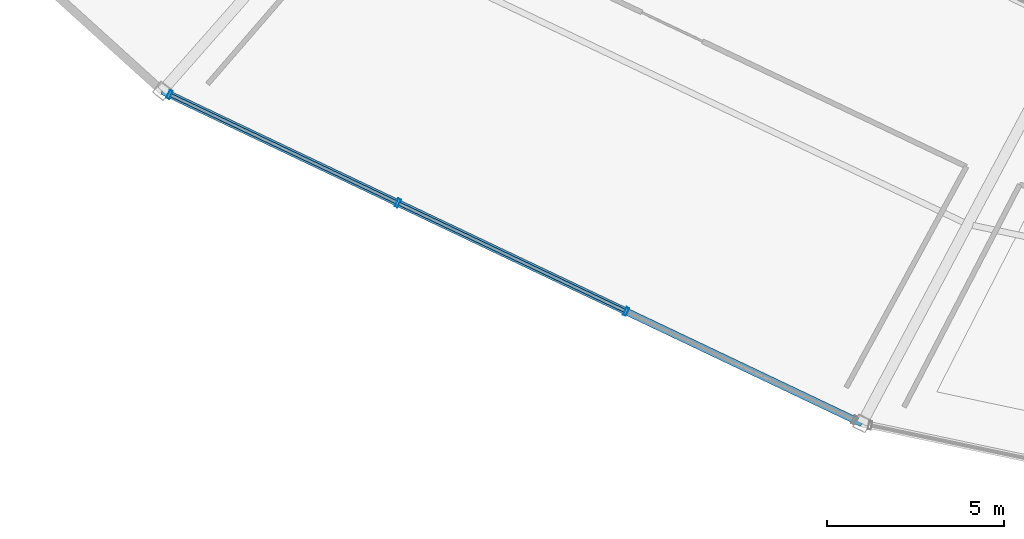
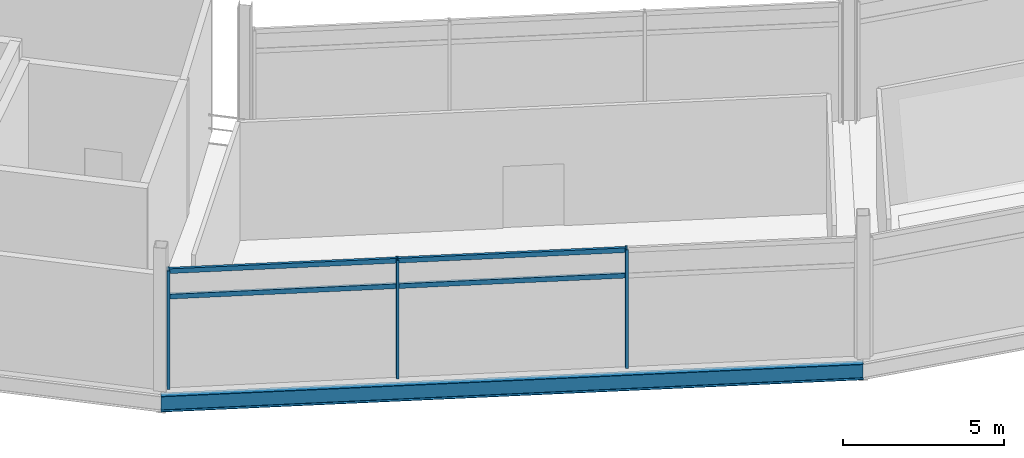
# One storey, part 14 of 86: 7 members, 1 beam, 1 element without a shape of its own.
"""IFC4 building model written with IfcOpenShell, lengths in metres."""

from ifc_helpers import new_model, si_unit, direction, frame, origin, origin_2d, place, context, subcontext, project, spatial, hollow_rectangle, i_section, extrude, material, layer, layer_set, material_profile, profile_set, type_object, element, aggregate, save


model = new_model("IFC4")

# Units and contexts
model_context = context("Model", 3, precision=1e-05, world=origin(), true_north=direction((0.0, 1.0)))
body_context = subcontext(model_context, "Body", "Model", "MODEL_VIEW")
ifc_project = project(units=[si_unit("LENGTHUNIT", "METRE"), si_unit("AREAUNIT", "SQUARE_METRE"), si_unit("VOLUMEUNIT", "CUBIC_METRE"), si_unit("PLANEANGLEUNIT", "RADIAN"), si_unit("MASSUNIT", "GRAM", prefix="KILO")], contexts=[model_context])

# Site, building, storey
site_placement = place(None, origin())
site = spatial("IfcSite", under=ifc_project, at=site_placement, CompositionType="ELEMENT")
building_placement = place(site_placement, origin())
building = spatial("IfcBuilding", under=site, at=building_placement, Name="Kazemori Nagisa Stadium", CompositionType="ELEMENT")
storey_placement = place(building_placement, frame((0.0, 0.0, 31.280029296875)))
storey = spatial("IfcBuildingStorey", under=building, at=storey_placement, Name="L06", CompositionType="ELEMENT", Elevation=31.280029296875)

# Beam
ifc_material_1 = material(Name="Steel SN490B", Category="steel")
ifc_material_profile_1 = material_profile(ifc_material_1, i_section(OverallWidth=0.199951171875, OverallDepth=0.60009765625, WebThickness=0.010986328125, FlangeThickness=0.01708984375, FilletRadius=0.012939453125, at=origin_2d()), Name="H-600x200x11x17")
ifc_profile_set_1 = profile_set([ifc_material_profile_1], Name="Steel SN490B")
beam_type = type_object("IfcBeamType", Name="Beam_BS-H600", PredefinedType="SPANDREL", material=ifc_profile_set_1)
beam_placement = place(storey_placement, frame((60.402099609375, 30.94091796875, -0.56005859375), z_axis=(0.903215644095, -0.429187022475, 0.0), x_axis=(0.429187022475, 0.903215644095, 0.0)))
element("IfcBeam", 1, at=beam_placement, inside=storey, type_object=beam_type, Name="Ring girder BS-H600 L06 R3-19", PredefinedType="SPANDREL", context=body_context, shape_type="SweptSolid", body=[
    extrude(i_section(OverallWidth=0.199951171875, OverallDepth=0.60009765625, WebThickness=0.010986328125, FlangeThickness=0.01708984375, FilletRadius=0.012939453125, at=origin_2d()), origin(), (0.0, 0.0, 1.0), 21.9140625),
])

# Curtain wall, members
ifc_material_2 = material(Name="Anodised aluminium 6063-T5", Category="aluminium")
ifc_layer = layer(ifc_material_2, 0.239990234375, Name="Anodised aluminium 6063-T5", Category="aluminium")
ifc_layer_set = layer_set([ifc_layer], Name="Anodised aluminium 6063-T5")
curtain_wall_type = type_object("IfcCurtainWallType", Name="CW_L06R3_108", PredefinedType="USERDEFINED", material=ifc_layer_set)
curtain_wall_placement = place(storey_placement, origin())
curtain_wall = element("IfcCurtainWall", 2, at=curtain_wall_placement, inside=storey, type_object=curtain_wall_type, Name="Unitised curtain wall CW-L06R3-108 L06", ObjectType="UNITISED CURTAIN WALL", PredefinedType="USERDEFINED")
ifc_material_3 = material(Name="Aluminium 6063-T5 anodised", Category="aluminium")
ifc_material_profile_2 = material_profile(ifc_material_3, hollow_rectangle(XDim=0.090087890625, YDim=0.239990234375, WallThickness=0.0048828125, at=origin_2d()), Name="ALU-MULL-90x240x5")
ifc_profile_set_2 = profile_set([ifc_material_profile_2], Name="Aluminium 6063-T5 anodised")
member_type_1 = type_object("IfcMemberType", Name="Mullion_M03", PredefinedType="MULLION", material=ifc_profile_set_2)
member_1_placement = place(storey_placement, frame((60.6142578125, 30.840087890625, 0.0), z_axis=(0.0, 0.0, 1.0), x_axis=(0.903215892654, -0.429186499388, 0.0)))
member_1 = element("IfcMember", 3, at=member_1_placement, type_object=member_type_1, Name="Curtain wall mullion CW-L06R3-108-M1", PredefinedType="MULLION", context=body_context, shape_type="SweptSolid", body=[
    extrude(hollow_rectangle(XDim=0.090087890625, YDim=0.239990234375, WallThickness=0.0048828125, at=origin_2d()), origin(), (0.0, 0.0, 1.0), 4.510009765625),
])
member_2_placement = place(storey_placement, frame((67.070556640625, 27.772216796875, 0.0), z_axis=(0.0, 0.0, 1.0), x_axis=(0.903215892654, -0.429186499388, 0.0)))
member_2 = element("IfcMember", 4, at=member_2_placement, type_object=member_type_1, Name="Curtain wall mullion CW-L06R3-108-M2", PredefinedType="MULLION", context=body_context, shape_type="SweptSolid", body=[
    extrude(hollow_rectangle(XDim=0.090087890625, YDim=0.239990234375, WallThickness=0.0048828125, at=origin_2d()), origin(), (0.0, 0.0, 1.0), 4.510009765625),
])
member_3_placement = place(storey_placement, frame((73.52685546875, 24.704345703125, 0.0), z_axis=(0.0, 0.0, 1.0), x_axis=(0.903215892654, -0.429186499388, 0.0)))
member_3 = element("IfcMember", 5, at=member_3_placement, type_object=member_type_1, Name="Curtain wall mullion CW-L06R3-108-M3", PredefinedType="MULLION", context=body_context, shape_type="SweptSolid", body=[
    extrude(hollow_rectangle(XDim=0.090087890625, YDim=0.239990234375, WallThickness=0.0048828125, at=origin_2d()), origin(), (0.0, 0.0, 1.0), 4.510009765625),
])
ifc_material_profile_3 = material_profile(ifc_material_3, hollow_rectangle(XDim=0.090087890625, YDim=0.179931640625, WallThickness=0.0048828125, at=origin_2d()), Name="ALU-TRAN-90x180x5")
ifc_profile_set_3 = profile_set([ifc_material_profile_3], Name="Aluminium 6063-T5 anodised")
member_type_2 = type_object("IfcMemberType", Name="Transom_T03", PredefinedType="USERDEFINED", material=ifc_profile_set_3)
member_4_placement = place(storey_placement, frame((60.63232421875, 30.83154296875, 3.47265625), z_axis=(0.903225250156, -0.429166806126, 0.0), x_axis=(0.429166806126, 0.903225250156, 0.0)))
member_4 = element("IfcMember", 6, at=member_4_placement, type_object=member_type_2, Name="Curtain wall transom CW-L06R3-108-T1-mid", ObjectType="TRANSOM", PredefinedType="USERDEFINED", context=body_context, shape_type="SweptSolid", body=[
    extrude(hollow_rectangle(XDim=0.090087890625, YDim=0.179931640625, WallThickness=0.0048828125, at=origin_2d()), origin(), (0.0, 0.0, 1.0), 7.108154296875),
])
member_5_placement = place(storey_placement, frame((60.63232421875, 30.83154296875, 4.43994140625), z_axis=(0.903225250156, -0.429166806126, 0.0), x_axis=(0.429166806126, 0.903225250156, 0.0)))
member_5 = element("IfcMember", 7, at=member_5_placement, type_object=member_type_2, Name="Curtain wall transom CW-L06R3-108-T1-head", ObjectType="TRANSOM", PredefinedType="USERDEFINED", context=body_context, shape_type="SweptSolid", body=[
    extrude(hollow_rectangle(XDim=0.090087890625, YDim=0.179931640625, WallThickness=0.0048828125, at=origin_2d()), origin(), (0.0, 0.0, 1.0), 7.108154296875),
])
member_6_placement = place(storey_placement, frame((67.088623046875, 27.763671875, 3.47265625), z_axis=(0.903225250156, -0.429166806126, 0.0), x_axis=(0.429166806126, 0.903225250156, 0.0)))
member_6 = element("IfcMember", 8, at=member_6_placement, type_object=member_type_2, Name="Curtain wall transom CW-L06R3-108-T2-mid", ObjectType="TRANSOM", PredefinedType="USERDEFINED", context=body_context, shape_type="SweptSolid", body=[
    extrude(hollow_rectangle(XDim=0.090087890625, YDim=0.179931640625, WallThickness=0.0048828125, at=origin_2d()), origin(), (0.0, 0.0, 1.0), 7.108154296875),
])
member_7_placement = place(storey_placement, frame((67.088623046875, 27.763671875, 4.43994140625), z_axis=(0.903225250156, -0.429166806126, 0.0), x_axis=(0.429166806126, 0.903225250156, 0.0)))
member_7 = element("IfcMember", 9, at=member_7_placement, type_object=member_type_2, Name="Curtain wall transom CW-L06R3-108-T2-head", ObjectType="TRANSOM", PredefinedType="USERDEFINED", context=body_context, shape_type="SweptSolid", body=[
    extrude(hollow_rectangle(XDim=0.090087890625, YDim=0.179931640625, WallThickness=0.0048828125, at=origin_2d()), origin(), (0.0, 0.0, 1.0), 7.108154296875),
])
aggregate(curtain_wall, [member_1, member_2, member_3, member_4, member_5, member_6, member_7])

save(model, "model.ifc")
